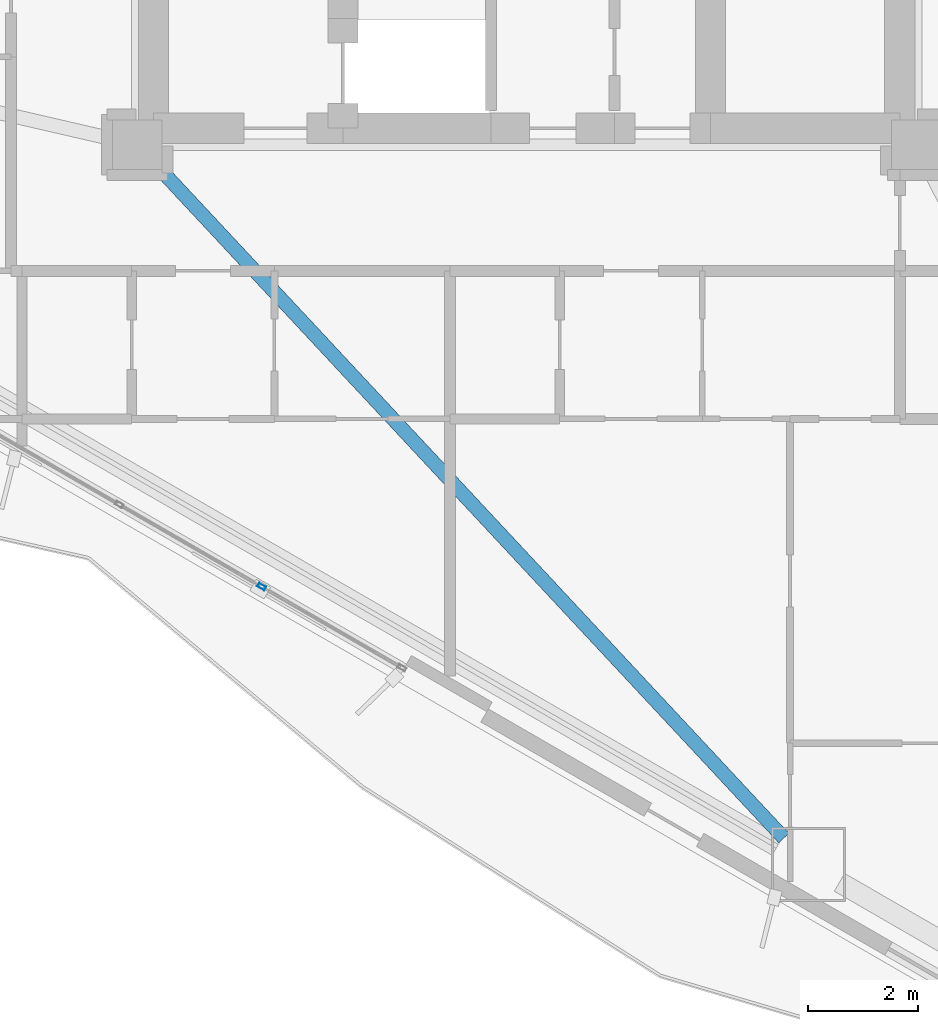
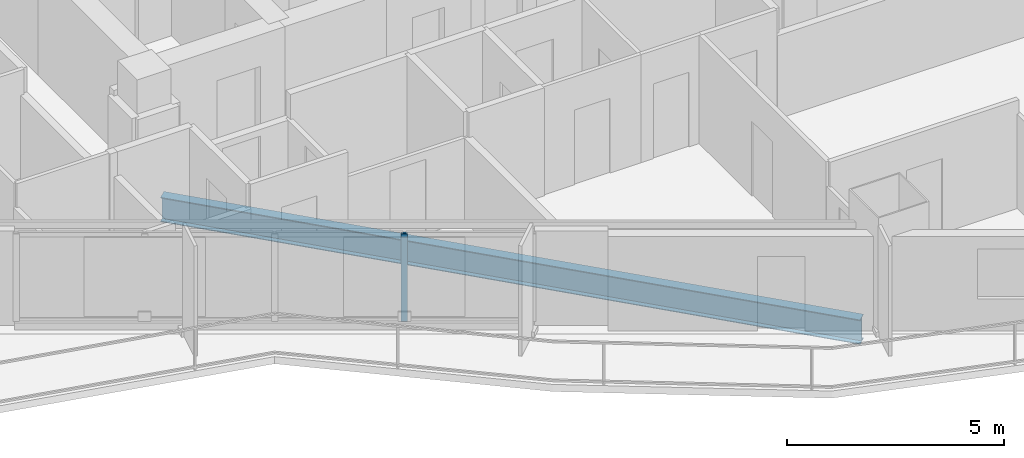
# One storey, part 4 of 18: 1 beam, 1 member, 1 element without a shape of its own.
"""IFC4 building model written with IfcOpenShell, lengths in metres."""

from ifc_helpers import new_model, si_unit, direction, frame, origin, origin_2d, place, context, subcontext, project, spatial, hollow_rectangle, i_section, extrude, material, layer, layer_set, material_profile, profile_set, type_object, element, aggregate, save


model = new_model("IFC4")

# Units and contexts
model_context = context("Model", 3, precision=1e-05, world=origin(), true_north=direction((0.0, 1.0)))
body_context = subcontext(model_context, "Body", "Model", "MODEL_VIEW")
ifc_project = project(units=[si_unit("LENGTHUNIT", "METRE"), si_unit("AREAUNIT", "SQUARE_METRE"), si_unit("VOLUMEUNIT", "CUBIC_METRE"), si_unit("PLANEANGLEUNIT", "RADIAN"), si_unit("MASSUNIT", "GRAM", prefix="KILO")], contexts=[model_context])

# Site, building, storey
site_placement = place(None, origin())
site = spatial("IfcSite", under=ifc_project, at=site_placement, CompositionType="ELEMENT")
building_placement = place(site_placement, origin())
building = spatial("IfcBuilding", under=site, at=building_placement, Name="Mersakhor Tower and Convention Hall", CompositionType="ELEMENT")
storey_placement = place(building_placement, frame((0.0, 0.0, 32.39990234375)))
storey = spatial("IfcBuildingStorey", under=building, at=storey_placement, Name="L08", CompositionType="ELEMENT", Elevation=32.39990234375)

# Beam
ifc_material_1 = material(Name="Steel S355", Category="steel")
ifc_material_profile_1 = material_profile(ifc_material_1, i_section(OverallWidth=0.25439453125, OverallDepth=0.6875, WebThickness=0.01318359375, FlangeThickness=0.02099609375, at=origin_2d()), Name="UB 686x254x152")
ifc_profile_set_1 = profile_set([ifc_material_profile_1], Name="Steel S355")
beam_type = type_object("IfcBeamType", Name="BM-PR-686", PredefinedType="BEAM", material=ifc_profile_set_1)
beam_placement = place(storey_placement, frame((22.193359375, 20.135498046875, -0.603515625), z_axis=(0.68200435324, -0.731348112845, 0.0), x_axis=(0.731348112845, 0.68200435324, 0.0)))
element("IfcBeam", 1, at=beam_placement, inside=storey, type_object=beam_type, Name="L08 Primary Floor Girder FG-5", PredefinedType="BEAM", context=body_context, shape_type="SweptSolid", body=[
    extrude(i_section(OverallWidth=0.25439453125, OverallDepth=0.6875, WebThickness=0.01318359375, FlangeThickness=0.02099609375, at=origin_2d()), origin(), (0.0, 0.0, 1.0), 16.85205078125),
])

# Curtain wall, member
ifc_material_2 = material(Name="Dark solar low-E aluminium curtain wall", Category="aluminium")
ifc_layer = layer(ifc_material_2, 0.159912109375)
ifc_layer_set = layer_set([ifc_layer], Name="Dark solar low-E aluminium curtain wall")
curtain_wall_type = type_object("IfcCurtainWallType", Name="CW-SYS-01", PredefinedType="USERDEFINED", material=ifc_layer_set)
curtain_wall_placement = place(storey_placement, origin())
curtain_wall = element("IfcCurtainWall", 2, at=curtain_wall_placement, inside=storey, type_object=curtain_wall_type, Name="L08 Dark-Glass Curtain Wall F3-B2", ObjectType="CURTAIN WALL", PredefinedType="USERDEFINED")
ifc_material_3 = material(Name="Anodised aluminium EN AW-6063 T6", Category="aluminium")
ifc_material_profile_2 = material_profile(ifc_material_3, hollow_rectangle(XDim=0.074951171875, YDim=0.14990234375, WallThickness=0.00634765625, at=origin_2d()), Name="RHS 150x75x6.3")
ifc_profile_set_2 = profile_set([ifc_material_profile_2], Name="Anodised aluminium EN AW-6063 T6")
member_type = type_object("IfcMemberType", Name="CWM-150x75", PredefinedType="MULLION", material=ifc_profile_set_2)
member_placement = place(storey_placement, frame((24.167236328125, 12.392822265625, 0.2001953125), z_axis=(0.0, 0.0, 1.0), x_axis=(-0.50000344889, -0.866023412558, 0.0)))
member = element("IfcMember", 3, at=member_placement, type_object=member_type, Name="CW-01 mullion 2", PredefinedType="MULLION", context=body_context, shape_type="SweptSolid", body=[
    extrude(hollow_rectangle(XDim=0.074951171875, YDim=0.14990234375, WallThickness=0.00634765625, at=origin_2d()), origin(), (0.0, 0.0, 1.0), 2.4599609375),
])
aggregate(curtain_wall, [member])

save(model, "model.ifc")
